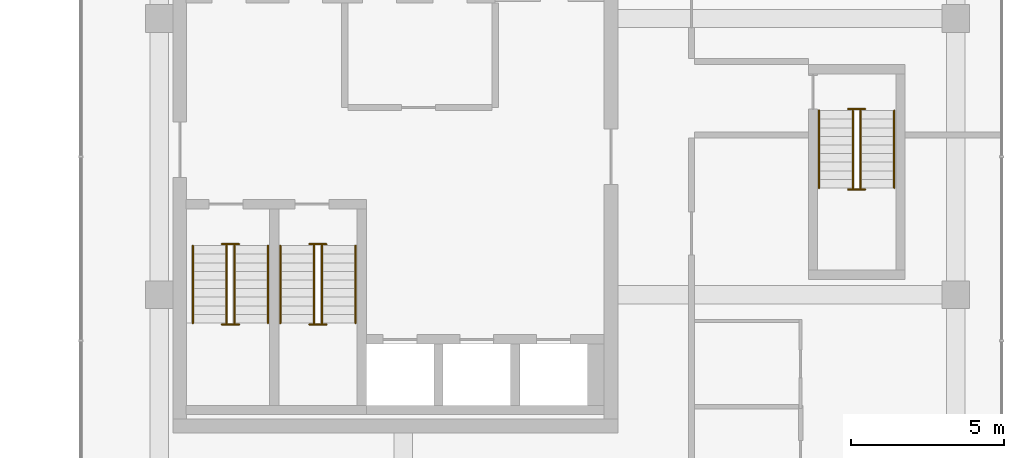
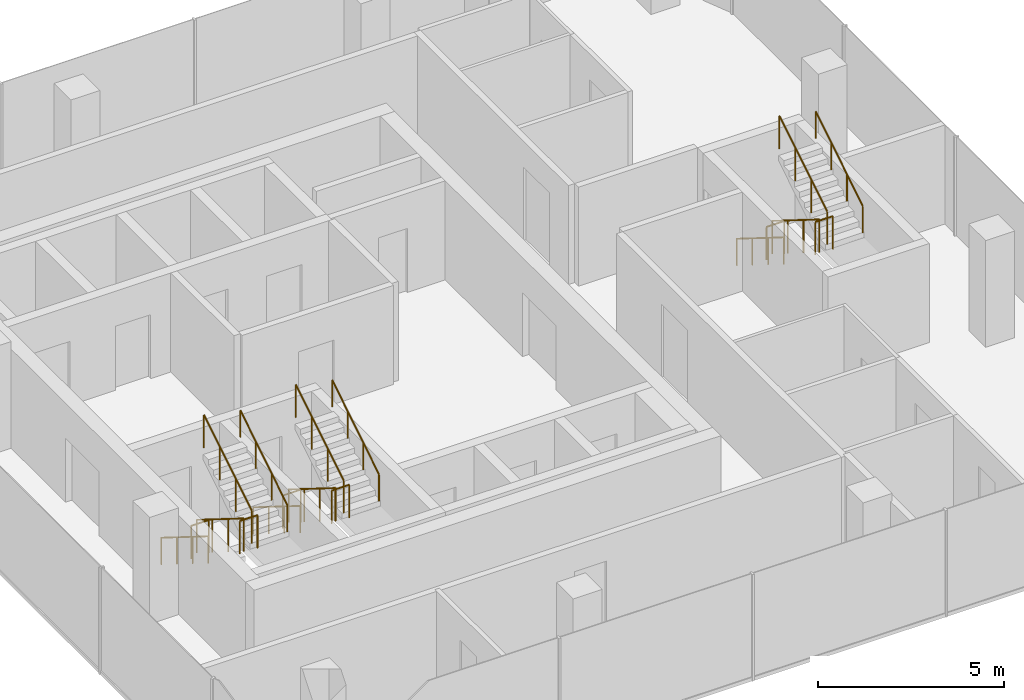
# One storey, part 27 of 27: 18 railings.
"""IFC4 building model written with IfcOpenShell, lengths in metres."""

from ifc_helpers import new_model, si_unit, direction, frame, origin, origin_2d, place, context, subcontext, project, spatial, circle, extrude, material, type_object, element, save


model = new_model("IFC4")

# Units and contexts
model_context = context("Model", 3, precision=1e-05, world=origin(), true_north=direction((0.0, 1.0)))
body_context = subcontext(model_context, "Body", "Model", "MODEL_VIEW")
ifc_project = project(units=[si_unit("LENGTHUNIT", "METRE"), si_unit("AREAUNIT", "SQUARE_METRE"), si_unit("VOLUMEUNIT", "CUBIC_METRE"), si_unit("PLANEANGLEUNIT", "RADIAN"), si_unit("MASSUNIT", "GRAM", prefix="KILO")], contexts=[model_context])

# Site, building, storey
site_placement = place(None, origin())
site = spatial("IfcSite", under=ifc_project, at=site_placement, CompositionType="ELEMENT")
building_placement = place(site_placement, origin())
building = spatial("IfcBuilding", under=site, at=building_placement, Name="Plateau Cross Towers", CompositionType="ELEMENT")
storey_placement = place(building_placement, frame((0.0, 0.0, 78.300048828125)))
storey = spatial("IfcBuildingStorey", under=building, at=storey_placement, Name="L19", CompositionType="ELEMENT", Elevation=78.300048828125)

# Railings
ifc_material_1 = material(Name="Stainless steel and toughened glass", Category="steel")
railing_type_1 = type_object("IfcRailingType", Name="RL-GUARD-1100", PredefinedType="GUARDRAIL", material=ifc_material_1)
railing_1_placement = place(storey_placement, frame((76.75, 6.10009765625, 0.175048828125)))
element("IfcRailing", 1, at=railing_1_placement, inside=storey, type_object=railing_type_1, Name="L19 SB-1 stair guard 1", PredefinedType="GUARDRAIL", context=body_context, shape_type="SweptSolid", body=[
    extrude(circle(Radius=0.02392578125, at=origin_2d()), frame((0.0, 0.0, 1.076171875), z_axis=(0.0, -0.848007534815, 0.529984170421), x_axis=(1.0, 0.0, 0.0)), (0.0, 0.0, 1.0), 2.9716796875),
    extrude(circle(Radius=0.02099609375, at=origin_2d()), origin(), (0.0, 0.0, 1.0), 1.052001953125),
    extrude(circle(Radius=0.02099609375, at=origin_2d()), frame((0.0, -0.840087890625, 0.52490234375)), (0.0, 0.0, 1.0), 1.052001953125),
    extrude(circle(Radius=0.02099609375, at=origin_2d()), frame((0.0, -1.679931640625, 1.050048828125)), (0.0, 0.0, 1.0), 1.052001953125),
    extrude(circle(Radius=0.02099609375, at=origin_2d()), frame((0.0, -2.52001953125, 1.574951171875)), (0.0, 0.0, 1.0), 1.052001953125),
])
railing_2_placement = place(storey_placement, frame((76.60009765625, 3.530029296875, 1.75)))
element("IfcRailing", 2, at=railing_2_placement, inside=storey, type_object=railing_type_1, Name="L19 SB-1 stair guard 2", PredefinedType="GUARDRAIL", context=body_context, shape_type="SweptSolid", body=[
    extrude(circle(Radius=0.02392578125, at=origin_2d()), frame((0.0, 0.0, 1.076171875), z_axis=(1.0, 0.0, 0.0), x_axis=(0.0, 1.0, 0.0)), (0.0, 0.0, 1.0), 0.5498046875),
    extrude(circle(Radius=0.02099609375, at=origin_2d()), origin(), (0.0, 0.0, 1.0), 1.052001953125),
    extrude(circle(Radius=0.02099609375, at=origin_2d()), frame((0.5498046875, 0.0, 0.0)), (0.0, 0.0, 1.0), 1.052001953125),
])
railing_3_placement = place(storey_placement, frame((77.0, 3.580078125, 1.925048828125)))
element("IfcRailing", 3, at=railing_3_placement, inside=storey, type_object=railing_type_1, Name="L19 SB-1 stair guard 3", PredefinedType="GUARDRAIL", context=body_context, shape_type="SweptSolid", body=[
    extrude(circle(Radius=0.02392578125, at=origin_2d()), frame((0.0, 0.0, 1.076171875), z_axis=(0.0, 0.852616386126, 0.522537365276), x_axis=(-1.0, 0.0, 0.0)), (0.0, 0.0, 1.0), 3.01416015625),
    extrude(circle(Radius=0.02099609375, at=origin_2d()), origin(), (0.0, 0.0, 1.0), 1.052001953125),
    extrude(circle(Radius=0.02099609375, at=origin_2d()), frame((0.0, 0.856689453125, 0.52490234375)), (0.0, 0.0, 1.0), 1.052001953125),
    extrude(circle(Radius=0.02099609375, at=origin_2d()), frame((0.0, 1.713134765625, 1.050048828125)), (0.0, 0.0, 1.0), 1.052001953125),
    extrude(circle(Radius=0.02099609375, at=origin_2d()), frame((0.0, 2.56982421875, 1.574951171875)), (0.0, 0.0, 1.0), 1.052001953125),
])
railing_4_placement = place(storey_placement, frame((76.60009765625, 6.14990234375, 0.0)))
element("IfcRailing", 4, at=railing_4_placement, inside=storey, type_object=railing_type_1, Name="L19 SB-1 stair guard 4", PredefinedType="GUARDRAIL", context=body_context, shape_type="SweptSolid", body=[
    extrude(circle(Radius=0.02392578125, at=origin_2d()), frame((0.0, 0.0, 1.076171875), z_axis=(1.0, 0.0, 0.0), x_axis=(0.0, 1.0, 0.0)), (0.0, 0.0, 1.0), 0.5498046875),
    extrude(circle(Radius=0.02099609375, at=origin_2d()), origin(), (0.0, 0.0, 1.0), 1.052001953125),
    extrude(circle(Radius=0.02099609375, at=origin_2d()), frame((0.5498046875, 0.0, 0.0)), (0.0, 0.0, 1.0), 1.052001953125),
])
railing_5_placement = place(storey_placement, frame((79.60009765625, 6.10009765625, 0.175048828125)))
element("IfcRailing", 5, at=railing_5_placement, inside=storey, type_object=railing_type_1, Name="L19 SB-2 stair guard 1", PredefinedType="GUARDRAIL", context=body_context, shape_type="SweptSolid", body=[
    extrude(circle(Radius=0.02392578125, at=origin_2d()), frame((0.0, 0.0, 1.076171875), z_axis=(0.0, -0.848007534815, 0.529984170421), x_axis=(1.0, 0.0, 0.0)), (0.0, 0.0, 1.0), 2.9716796875),
    extrude(circle(Radius=0.02099609375, at=origin_2d()), origin(), (0.0, 0.0, 1.0), 1.052001953125),
    extrude(circle(Radius=0.02099609375, at=origin_2d()), frame((0.0, -0.840087890625, 0.52490234375)), (0.0, 0.0, 1.0), 1.052001953125),
    extrude(circle(Radius=0.02099609375, at=origin_2d()), frame((0.0, -1.679931640625, 1.050048828125)), (0.0, 0.0, 1.0), 1.052001953125),
    extrude(circle(Radius=0.02099609375, at=origin_2d()), frame((0.0, -2.52001953125, 1.574951171875)), (0.0, 0.0, 1.0), 1.052001953125),
])
railing_6_placement = place(storey_placement, frame((79.449951171875, 3.530029296875, 1.75)))
element("IfcRailing", 6, at=railing_6_placement, inside=storey, type_object=railing_type_1, Name="L19 SB-2 stair guard 2", PredefinedType="GUARDRAIL", context=body_context, shape_type="SweptSolid", body=[
    extrude(circle(Radius=0.02392578125, at=origin_2d()), frame((0.0, 0.0, 1.076171875), z_axis=(1.0, 0.0, 0.0), x_axis=(0.0, 1.0, 0.0)), (0.0, 0.0, 1.0), 0.550048828125),
    extrude(circle(Radius=0.02099609375, at=origin_2d()), origin(), (0.0, 0.0, 1.0), 1.052001953125),
    extrude(circle(Radius=0.02099609375, at=origin_2d()), frame((0.550048828125, 0.0, 0.0)), (0.0, 0.0, 1.0), 1.052001953125),
])
railing_7_placement = place(storey_placement, frame((79.85009765625, 3.580078125, 1.925048828125)))
element("IfcRailing", 7, at=railing_7_placement, inside=storey, type_object=railing_type_1, Name="L19 SB-2 stair guard 3", PredefinedType="GUARDRAIL", context=body_context, shape_type="SweptSolid", body=[
    extrude(circle(Radius=0.02392578125, at=origin_2d()), frame((0.0, 0.0, 1.076171875), z_axis=(0.0, 0.852616386126, 0.522537365276), x_axis=(-1.0, 0.0, 0.0)), (0.0, 0.0, 1.0), 3.01416015625),
    extrude(circle(Radius=0.02099609375, at=origin_2d()), origin(), (0.0, 0.0, 1.0), 1.052001953125),
    extrude(circle(Radius=0.02099609375, at=origin_2d()), frame((0.0, 0.856689453125, 0.52490234375)), (0.0, 0.0, 1.0), 1.052001953125),
    extrude(circle(Radius=0.02099609375, at=origin_2d()), frame((0.0, 1.713134765625, 1.050048828125)), (0.0, 0.0, 1.0), 1.052001953125),
    extrude(circle(Radius=0.02099609375, at=origin_2d()), frame((0.0, 2.56982421875, 1.574951171875)), (0.0, 0.0, 1.0), 1.052001953125),
])
railing_8_placement = place(storey_placement, frame((79.449951171875, 6.14990234375, 0.0)))
element("IfcRailing", 8, at=railing_8_placement, inside=storey, type_object=railing_type_1, Name="L19 SB-2 stair guard 4", PredefinedType="GUARDRAIL", context=body_context, shape_type="SweptSolid", body=[
    extrude(circle(Radius=0.02392578125, at=origin_2d()), frame((0.0, 0.0, 1.076171875), z_axis=(1.0, 0.0, 0.0), x_axis=(0.0, 1.0, 0.0)), (0.0, 0.0, 1.0), 0.550048828125),
    extrude(circle(Radius=0.02099609375, at=origin_2d()), origin(), (0.0, 0.0, 1.0), 1.052001953125),
    extrude(circle(Radius=0.02099609375, at=origin_2d()), frame((0.550048828125, 0.0, 0.0)), (0.0, 0.0, 1.0), 1.052001953125),
])
railing_9_placement = place(storey_placement, frame((97.14990234375, 10.5, 0.175048828125)))
element("IfcRailing", 9, at=railing_9_placement, inside=storey, type_object=railing_type_1, Name="L19 SB-3 stair guard 1", PredefinedType="GUARDRAIL", context=body_context, shape_type="SweptSolid", body=[
    extrude(circle(Radius=0.02392578125, at=origin_2d()), frame((0.0, 0.0, 1.076171875), z_axis=(0.0, -0.848007534815, 0.529984170421), x_axis=(1.0, 0.0, 0.0)), (0.0, 0.0, 1.0), 2.9716796875),
    extrude(circle(Radius=0.02099609375, at=origin_2d()), origin(), (0.0, 0.0, 1.0), 1.052001953125),
    extrude(circle(Radius=0.02099609375, at=origin_2d()), frame((0.0, -0.840087890625, 0.52490234375)), (0.0, 0.0, 1.0), 1.052001953125),
    extrude(circle(Radius=0.02099609375, at=origin_2d()), frame((0.0, -1.679931640625, 1.050048828125)), (0.0, 0.0, 1.0), 1.052001953125),
    extrude(circle(Radius=0.02099609375, at=origin_2d()), frame((0.0, -2.52001953125, 1.574951171875)), (0.0, 0.0, 1.0), 1.052001953125),
])
railing_10_placement = place(storey_placement, frame((97.0, 7.929931640625, 1.75)))
element("IfcRailing", 10, at=railing_10_placement, inside=storey, type_object=railing_type_1, Name="L19 SB-3 stair guard 2", PredefinedType="GUARDRAIL", context=body_context, shape_type="SweptSolid", body=[
    extrude(circle(Radius=0.02392578125, at=origin_2d()), frame((0.0, 0.0, 1.076171875), z_axis=(1.0, 0.0, 0.0), x_axis=(0.0, 1.0, 0.0)), (0.0, 0.0, 1.0), 0.550048828125),
    extrude(circle(Radius=0.02099609375, at=origin_2d()), origin(), (0.0, 0.0, 1.0), 1.052001953125),
    extrude(circle(Radius=0.02099609375, at=origin_2d()), frame((0.550048828125, 0.0, 0.0)), (0.0, 0.0, 1.0), 1.052001953125),
])
railing_11_placement = place(storey_placement, frame((97.39990234375, 7.97998046875, 1.925048828125)))
element("IfcRailing", 11, at=railing_11_placement, inside=storey, type_object=railing_type_1, Name="L19 SB-3 stair guard 3", PredefinedType="GUARDRAIL", context=body_context, shape_type="SweptSolid", body=[
    extrude(circle(Radius=0.02392578125, at=origin_2d()), frame((0.0, 0.0, 1.076171875), z_axis=(0.0, 0.852638500773, 0.522501279423), x_axis=(-1.0, 0.0, 0.0)), (0.0, 0.0, 1.0), 3.01416015625),
    extrude(circle(Radius=0.02099609375, at=origin_2d()), origin(), (0.0, 0.0, 1.0), 1.052001953125),
    extrude(circle(Radius=0.02099609375, at=origin_2d()), frame((0.0, 0.856689453125, 0.52490234375)), (0.0, 0.0, 1.0), 1.052001953125),
    extrude(circle(Radius=0.02099609375, at=origin_2d()), frame((0.0, 1.71337890625, 1.050048828125)), (0.0, 0.0, 1.0), 1.052001953125),
    extrude(circle(Radius=0.02099609375, at=origin_2d()), frame((0.0, 2.570068359375, 1.574951171875)), (0.0, 0.0, 1.0), 1.052001953125),
])
railing_12_placement = place(storey_placement, frame((97.0, 10.550048828125, 0.0)))
element("IfcRailing", 12, at=railing_12_placement, inside=storey, type_object=railing_type_1, Name="L19 SB-3 stair guard 4", PredefinedType="GUARDRAIL", context=body_context, shape_type="SweptSolid", body=[
    extrude(circle(Radius=0.02392578125, at=origin_2d()), frame((0.0, 0.0, 1.076171875), z_axis=(1.0, 0.0, 0.0), x_axis=(0.0, 1.0, 0.0)), (0.0, 0.0, 1.0), 0.550048828125),
    extrude(circle(Radius=0.02099609375, at=origin_2d()), origin(), (0.0, 0.0, 1.0), 1.052001953125),
    extrude(circle(Radius=0.02099609375, at=origin_2d()), frame((0.550048828125, 0.0, 0.0)), (0.0, 0.0, 1.0), 1.052001953125),
])
ifc_material_2 = material(Name="Black anodised aluminium", Category="aluminium")
railing_type_2 = type_object("IfcRailingType", Name="RL-HANDRAIL-900", PredefinedType="HANDRAIL", material=ifc_material_2)
railing_13_placement = place(storey_placement, frame((75.64990234375, 6.10009765625, 0.175048828125)))
element("IfcRailing", 13, at=railing_13_placement, inside=storey, type_object=railing_type_2, Name="L19 SB-1 stair handrail 1", PredefinedType="HANDRAIL", context=body_context, shape_type="SweptSolid", body=[
    extrude(circle(Radius=0.02392578125, at=origin_2d()), frame((0.0, 0.0, 0.8759765625), z_axis=(0.0, -0.848007534815, 0.529984170421), x_axis=(1.0, 0.0, 0.0)), (0.0, 0.0, 1.0), 2.9716796875),
    extrude(circle(Radius=0.02099609375, at=origin_2d()), origin(), (0.0, 0.0, 1.0), 0.851806640625),
    extrude(circle(Radius=0.02099609375, at=origin_2d()), frame((0.0, -0.840087890625, 0.52490234375)), (0.0, 0.0, 1.0), 0.851806640625),
    extrude(circle(Radius=0.02099609375, at=origin_2d()), frame((0.0, -1.679931640625, 1.050048828125)), (0.0, 0.0, 1.0), 0.851806640625),
    extrude(circle(Radius=0.02099609375, at=origin_2d()), frame((0.0, -2.52001953125, 1.574951171875)), (0.0, 0.0, 1.0), 0.851806640625),
])
railing_14_placement = place(storey_placement, frame((78.10009765625, 3.580078125, 1.925048828125)))
element("IfcRailing", 14, at=railing_14_placement, inside=storey, type_object=railing_type_2, Name="L19 SB-1 stair handrail 2", PredefinedType="HANDRAIL", context=body_context, shape_type="SweptSolid", body=[
    extrude(circle(Radius=0.02392578125, at=origin_2d()), frame((0.0, 0.0, 0.8759765625), z_axis=(0.0, 0.848007534815, 0.529984170421), x_axis=(-1.0, 0.0, 0.0)), (0.0, 0.0, 1.0), 2.9716796875),
    extrude(circle(Radius=0.02099609375, at=origin_2d()), origin(), (0.0, 0.0, 1.0), 0.851806640625),
    extrude(circle(Radius=0.02099609375, at=origin_2d()), frame((0.0, 0.840087890625, 0.52490234375)), (0.0, 0.0, 1.0), 0.851806640625),
    extrude(circle(Radius=0.02099609375, at=origin_2d()), frame((0.0, 1.679931640625, 1.050048828125)), (0.0, 0.0, 1.0), 0.851806640625),
    extrude(circle(Radius=0.02099609375, at=origin_2d()), frame((0.0, 2.52001953125, 1.574951171875)), (0.0, 0.0, 1.0), 0.851806640625),
])
railing_15_placement = place(storey_placement, frame((78.5, 6.10009765625, 0.175048828125)))
element("IfcRailing", 15, at=railing_15_placement, inside=storey, type_object=railing_type_2, Name="L19 SB-2 stair handrail 1", PredefinedType="HANDRAIL", context=body_context, shape_type="SweptSolid", body=[
    extrude(circle(Radius=0.02392578125, at=origin_2d()), frame((0.0, 0.0, 0.8759765625), z_axis=(0.0, -0.848007534815, 0.529984170421), x_axis=(1.0, 0.0, 0.0)), (0.0, 0.0, 1.0), 2.9716796875),
    extrude(circle(Radius=0.02099609375, at=origin_2d()), origin(), (0.0, 0.0, 1.0), 0.851806640625),
    extrude(circle(Radius=0.02099609375, at=origin_2d()), frame((0.0, -0.840087890625, 0.52490234375)), (0.0, 0.0, 1.0), 0.851806640625),
    extrude(circle(Radius=0.02099609375, at=origin_2d()), frame((0.0, -1.679931640625, 1.050048828125)), (0.0, 0.0, 1.0), 0.851806640625),
    extrude(circle(Radius=0.02099609375, at=origin_2d()), frame((0.0, -2.52001953125, 1.574951171875)), (0.0, 0.0, 1.0), 0.851806640625),
])
railing_16_placement = place(storey_placement, frame((80.949951171875, 3.580078125, 1.925048828125)))
element("IfcRailing", 16, at=railing_16_placement, inside=storey, type_object=railing_type_2, Name="L19 SB-2 stair handrail 2", PredefinedType="HANDRAIL", context=body_context, shape_type="SweptSolid", body=[
    extrude(circle(Radius=0.02392578125, at=origin_2d()), frame((0.0, 0.0, 0.8759765625), z_axis=(0.0, 0.848007534815, 0.529984170421), x_axis=(-1.0, 0.0, 0.0)), (0.0, 0.0, 1.0), 2.9716796875),
    extrude(circle(Radius=0.02099609375, at=origin_2d()), origin(), (0.0, 0.0, 1.0), 0.851806640625),
    extrude(circle(Radius=0.02099609375, at=origin_2d()), frame((0.0, 0.840087890625, 0.52490234375)), (0.0, 0.0, 1.0), 0.851806640625),
    extrude(circle(Radius=0.02099609375, at=origin_2d()), frame((0.0, 1.679931640625, 1.050048828125)), (0.0, 0.0, 1.0), 0.851806640625),
    extrude(circle(Radius=0.02099609375, at=origin_2d()), frame((0.0, 2.52001953125, 1.574951171875)), (0.0, 0.0, 1.0), 0.851806640625),
])
railing_17_placement = place(storey_placement, frame((96.050048828125, 10.5, 0.175048828125)))
element("IfcRailing", 17, at=railing_17_placement, inside=storey, type_object=railing_type_2, Name="L19 SB-3 stair handrail 1", PredefinedType="HANDRAIL", context=body_context, shape_type="SweptSolid", body=[
    extrude(circle(Radius=0.02392578125, at=origin_2d()), frame((0.0, 0.0, 0.8759765625), z_axis=(0.0, -0.848007534815, 0.529984170421), x_axis=(1.0, 0.0, 0.0)), (0.0, 0.0, 1.0), 2.9716796875),
    extrude(circle(Radius=0.02099609375, at=origin_2d()), origin(), (0.0, 0.0, 1.0), 0.851806640625),
    extrude(circle(Radius=0.02099609375, at=origin_2d()), frame((0.0, -0.840087890625, 0.52490234375)), (0.0, 0.0, 1.0), 0.851806640625),
    extrude(circle(Radius=0.02099609375, at=origin_2d()), frame((0.0, -1.679931640625, 1.050048828125)), (0.0, 0.0, 1.0), 0.851806640625),
    extrude(circle(Radius=0.02099609375, at=origin_2d()), frame((0.0, -2.52001953125, 1.574951171875)), (0.0, 0.0, 1.0), 0.851806640625),
])
railing_18_placement = place(storey_placement, frame((98.5, 7.97998046875, 1.925048828125)))
element("IfcRailing", 18, at=railing_18_placement, inside=storey, type_object=railing_type_2, Name="L19 SB-3 stair handrail 2", PredefinedType="HANDRAIL", context=body_context, shape_type="SweptSolid", body=[
    extrude(circle(Radius=0.02392578125, at=origin_2d()), frame((0.0, 0.0, 0.8759765625), z_axis=(0.0, 0.848007534815, 0.529984170421), x_axis=(-1.0, 0.0, 0.0)), (0.0, 0.0, 1.0), 2.9716796875),
    extrude(circle(Radius=0.02099609375, at=origin_2d()), origin(), (0.0, 0.0, 1.0), 0.851806640625),
    extrude(circle(Radius=0.02099609375, at=origin_2d()), frame((0.0, 0.840087890625, 0.52490234375)), (0.0, 0.0, 1.0), 0.851806640625),
    extrude(circle(Radius=0.02099609375, at=origin_2d()), frame((0.0, 1.679931640625, 1.050048828125)), (0.0, 0.0, 1.0), 0.851806640625),
    extrude(circle(Radius=0.02099609375, at=origin_2d()), frame((0.0, 2.52001953125, 1.574951171875)), (0.0, 0.0, 1.0), 0.851806640625),
])

save(model, "model.ifc")
